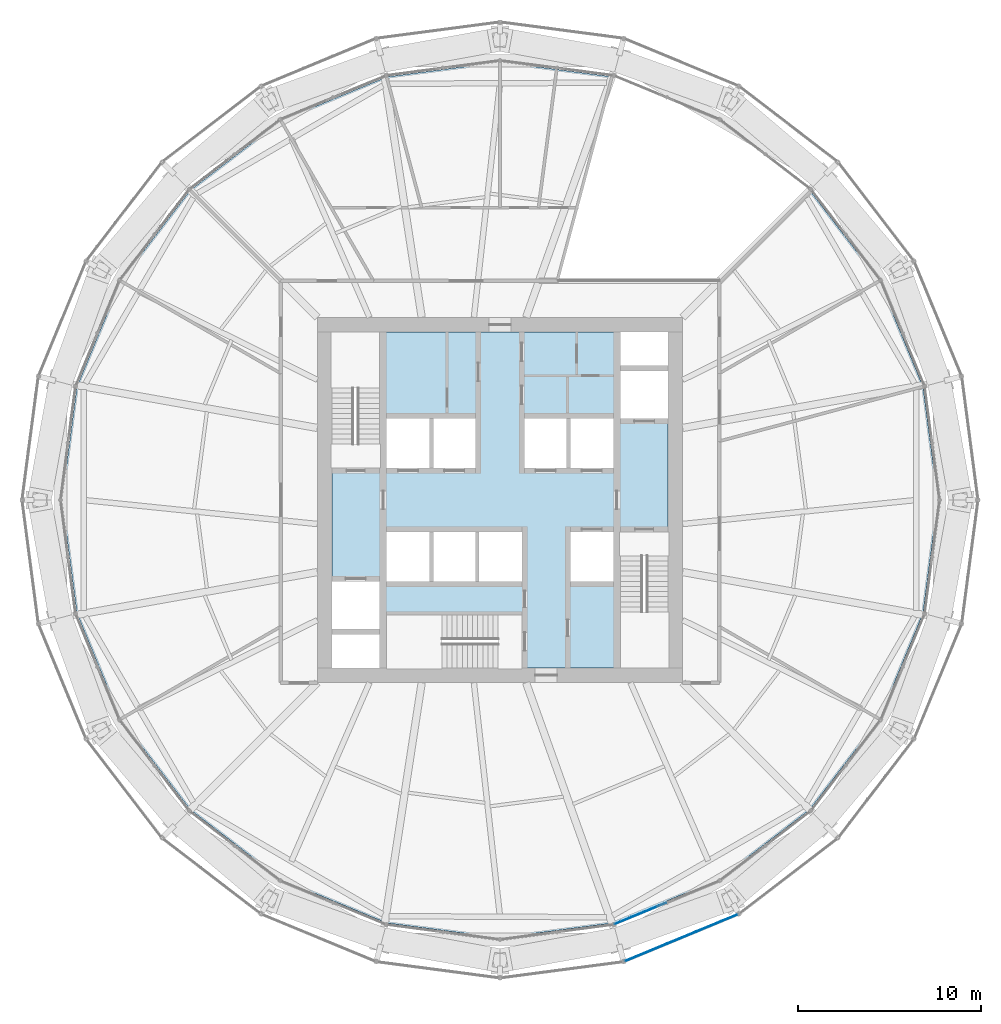
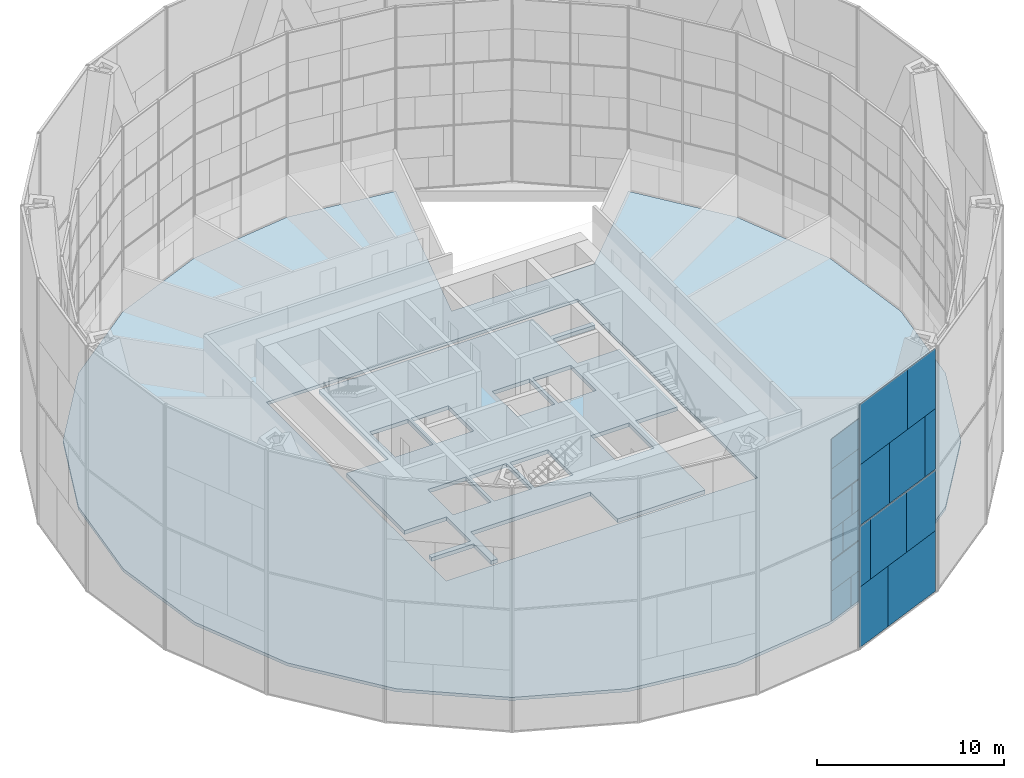
# One storey, part 15 of 26: 19 plates, 2 slabs, 2 elements without a shape of their own.
"""IFC4 building model written with IfcOpenShell, lengths in metres."""

from ifc_helpers import new_model, si_unit, direction, frame, origin, origin_2d, place, context, subcontext, project, spatial, polyline, rectangle, outline, extrude, material, layer, layer_set, type_object, element, aggregate, save


model = new_model("IFC4")

# Units and contexts
model_context = context("Model", 3, precision=1e-05, world=origin(), true_north=direction((0.0, 1.0)))
body_context = subcontext(model_context, "Body", "Model", "MODEL_VIEW")
ifc_project = project(units=[si_unit("LENGTHUNIT", "METRE"), si_unit("AREAUNIT", "SQUARE_METRE"), si_unit("VOLUMEUNIT", "CUBIC_METRE"), si_unit("PLANEANGLEUNIT", "RADIAN"), si_unit("MASSUNIT", "GRAM", prefix="KILO")], contexts=[model_context])

# Site, building, storey
site_placement = place(None, origin())
site = spatial("IfcSite", under=ifc_project, at=site_placement, CompositionType="ELEMENT")
building_placement = place(site_placement, origin())
building = spatial("IfcBuilding", under=site, at=building_placement, Name="Golbaran Civic Tower", CompositionType="ELEMENT")
storey_placement = place(building_placement, frame((0.0, 0.0, 69.0)))
storey = spatial("IfcBuildingStorey", under=building, at=storey_placement, Name="L16", CompositionType="ELEMENT", Elevation=69.0)

# Slabs
ifc_material_1 = material(Name="Concrete LC30/33 lightweight on steel deck", Category="concrete")
ifc_layer_1 = layer(ifc_material_1, 0.199951171875, Name="Concrete LC30/33 lightweight on steel deck")
ifc_layer_set_1 = layer_set([ifc_layer_1], Name="Concrete LC30/33 lightweight on steel deck")
slab_type_1 = type_object("IfcSlabType", Name="COMPOSITE FLOOR SLAB 200", PredefinedType="FLOOR", material=ifc_layer_set_1)
slab_1_placement = place(storey_placement, frame((0.0, 0.0, -0.199951171875)))
element("IfcSlab", 1, at=slab_1_placement, inside=storey, type_object=slab_type_1, Name="Floor slab L16", PredefinedType="FLOOR", context=body_context, shape_type="SweptSolid", body=[
    extrude(outline(polyline([(16.950927734375, -16.950927734375), (11.986083984375, -20.7607421875), (6.20458984375, -23.155517578125), (0.0, -23.972412109375), (-6.20458984375, -23.155517578125), (-11.986083984375, -20.7607421875), (-16.950927734375, -16.950927734375), (-20.7607421875, -11.986083984375), (-23.155517578125, -6.20458984375), (-23.972412109375, 0.0), (-23.155517578125, 6.20458984375), (-20.7607421875, 11.986083984375), (-16.950927734375, 16.950927734375), (-11.986083984375, 20.7607421875), (-6.20458984375, 23.155517578125), (0.0, 23.972412109375), (6.20458984375, 23.155517578125), (3.21533203125, 12.0), (12.0, 12.0), (16.950927734375, 16.950927734375), (20.7607421875, 11.986083984375), (23.155517578125, 6.20458984375), (23.972412109375, 0.0), (23.155517578125, -6.20458984375), (20.7607421875, -11.986083984375), (16.950927734375, -16.950927734375)]), holes=[polyline([(-9.60009765625, -9.60009765625), (9.60009765625, -9.60009765625), (9.60009765625, 9.60009765625), (-9.60009765625, 9.60009765625), (-9.60009765625, -9.60009765625)])]), origin(), (0.0, 0.0, 1.0), 0.199951171875),
])
ifc_material_2 = material(Name="Concrete C35/45", Category="concrete")
ifc_layer_2 = layer(ifc_material_2, 0.25, Name="Concrete C35/45")
ifc_layer_set_2 = layer_set([ifc_layer_2], Name="Concrete C35/45")
slab_type_2 = type_object("IfcSlabType", Name="CORE FLOOR SLAB 250", PredefinedType="FLOOR", material=ifc_layer_set_2)
slab_2_placement = place(storey_placement, frame((0.0, 0.0, -0.25)))
element("IfcSlab", 2, at=slab_2_placement, inside=storey, type_object=slab_type_2, Name="Core floor slab L16", PredefinedType="FLOOR", context=body_context, shape_type="SweptSolid", body=[
    extrude(outline(polyline([(6.60009765625, -1.75), (6.60009765625, -9.199951171875), (1.199951171875, -9.199951171875), (1.199951171875, -6.300048828125), (-6.199951171875, -6.300048828125), (-6.199951171875, -9.199951171875), (-6.60009765625, -9.199951171875), (-6.60009765625, -7.35009765625), (-9.199951171875, -7.35009765625), (-9.199951171875, -7.050048828125), (-6.60009765625, -7.050048828125), (-6.60009765625, -4.449951171875), (-9.199951171875, -4.449951171875), (-9.199951171875, 1.75), (-6.60009765625, 1.75), (-6.60009765625, 9.199951171875), (6.60009765625, 9.199951171875), (6.60009765625, 7.35009765625), (9.199951171875, 7.35009765625), (9.199951171875, 7.050048828125), (6.60009765625, 7.050048828125), (6.60009765625, 4.449951171875), (9.199951171875, 4.449951171875), (9.199951171875, -1.75), (6.60009765625, -1.75)]), holes=[polyline([(6.199951171875, -1.75), (3.85009765625, -1.75), (3.85009765625, -4.449951171875), (6.199951171875, -4.449951171875), (6.199951171875, -1.75)]), polyline([(6.199951171875, 4.449951171875), (3.85009765625, 4.449951171875), (3.85009765625, 1.75), (6.199951171875, 1.75), (6.199951171875, 4.449951171875)]), polyline([(3.64990234375, 4.449951171875), (1.35009765625, 4.449951171875), (1.35009765625, 1.75), (3.64990234375, 1.75), (3.64990234375, 4.449951171875)]), polyline([(1.199951171875, -1.75), (-1.14990234375, -1.75), (-1.14990234375, -4.449951171875), (1.199951171875, -4.449951171875), (1.199951171875, -1.75)]), polyline([(-1.35009765625, 4.449951171875), (-3.64990234375, 4.449951171875), (-3.64990234375, 1.75), (-1.35009765625, 1.75), (-1.35009765625, 4.449951171875)]), polyline([(-1.35009765625, -1.75), (-3.64990234375, -1.75), (-3.64990234375, -4.449951171875), (-1.35009765625, -4.449951171875), (-1.35009765625, -1.75)]), polyline([(-3.85009765625, -1.75), (-6.199951171875, -1.75), (-6.199951171875, -4.449951171875), (-3.85009765625, -4.449951171875), (-3.85009765625, -1.75)]), polyline([(-3.85009765625, 4.449951171875), (-6.199951171875, 4.449951171875), (-6.199951171875, 1.75), (-3.85009765625, 1.75), (-3.85009765625, 4.449951171875)])]), origin(), (0.0, 0.0, 1.0), 0.25),
])

# Curtain wall, plates
ifc_material_3 = material(Name="Aluminium and glass", Category="aluminium")
curtain_wall_type_1 = type_object("IfcCurtainWallType", Name="INNER SKIN CURTAIN WALL", PredefinedType="NOTDEFINED", material=ifc_material_3)
curtain_wall_1_placement = place(storey_placement, origin())
curtain_wall_1 = element("IfcCurtainWall", 3, at=curtain_wall_1_placement, inside=storey, type_object=curtain_wall_type_1, Name="Inner skin L16 facet 20 CW1", ObjectType="INNER SKIN", PredefinedType="USERDEFINED")
ifc_material_4 = material(Name="Clear insulating glass", Category="glass")
ifc_layer_3 = layer(ifc_material_4, 0.031982421875, Name="Clear insulating glass")
ifc_layer_set_3 = layer_set([ifc_layer_3], Name="Clear insulating glass")
plate_type_1 = type_object("IfcPlateType", Name="INNER SKIN CURTAIN WALL GLAZED PANEL", PredefinedType="CURTAIN_PANEL", material=ifc_layer_set_3)
plate_1_placement = place(storey_placement, frame((8.48193359375, -22.298583984375, 0.06494140625), z_axis=(0.0, 0.0, 1.0), x_axis=(0.923879532478, 0.382683432446, 0.0)))
plate_1 = element("IfcPlate", 4, at=plate_1_placement, type_object=plate_type_1, Name="CW1 panel 1.1 part 2", PredefinedType="CURTAIN_PANEL", context=body_context, shape_type="SweptSolid", body=[
    extrude(rectangle(XDim=1.3291015625, YDim=0.031982421875, at=origin_2d()), origin(), (0.0, 0.0, 1.0), 1.951171875),
])
plate_2_placement = place(storey_placement, frame((6.74365234375, -23.018798828125, 4.03271484375), z_axis=(0.0, 0.0, 1.0), x_axis=(0.923879532478, 0.382683432446, 0.0)))
plate_2 = element("IfcPlate", 5, at=plate_2_placement, type_object=plate_type_1, Name="CW1 panel 1.2 part 1", PredefinedType="CURTAIN_PANEL", context=body_context, shape_type="SweptSolid", body=[
    extrude(rectangle(XDim=0.991943359375, YDim=0.031982421875, at=origin_2d()), origin(), (0.0, 0.0, 1.0), 1.967529296875),
])
plate_3_placement = place(storey_placement, frame((7.116455078125, -22.8642578125, 6.0), z_axis=(0.0, 0.0, 1.0), x_axis=(0.923879532478, 0.382683432446, 0.0)))
plate_3 = element("IfcPlate", 6, at=plate_3_placement, type_object=plate_type_1, Name="CW1 panel 1.2 part 3", PredefinedType="CURTAIN_PANEL", context=body_context, shape_type="SweptSolid", body=[
    extrude(rectangle(XDim=1.799072265625, YDim=0.031982421875, at=origin_2d()), origin(), (0.0, 0.0, 1.0), 1.967529296875),
])
plate_4_placement = place(storey_placement, frame((7.500732421875, -22.705078125, 8.032470703125), z_axis=(0.0, 0.0, 1.0), x_axis=(0.923879532478, 0.382683432446, 0.0)))
plate_4 = element("IfcPlate", 7, at=plate_4_placement, type_object=plate_type_1, Name="CW1 panel 1.3 part 1", PredefinedType="CURTAIN_PANEL", context=body_context, shape_type="SweptSolid", body=[
    extrude(rectangle(XDim=2.631103515625, YDim=0.031982421875, at=origin_2d()), origin(), (0.0, 0.0, 1.0), 1.951171875),
])
plate_5_placement = place(storey_placement, frame((7.690673828125, -22.62646484375, 9.98388671875), z_axis=(0.0, 0.0, 1.0), x_axis=(0.923879532478, 0.382683432446, 0.0)))
plate_5 = element("IfcPlate", 8, at=plate_5_placement, type_object=plate_type_1, Name="CW1 panel 1.3 part 3", PredefinedType="CURTAIN_PANEL", context=body_context, shape_type="SweptSolid", body=[
    extrude(rectangle(XDim=3.0419921875, YDim=0.031982421875, at=origin_2d()), origin(), (0.0, 0.0, 1.0), 1.951171875),
])
ifc_material_5 = material(Name="Aluminium faced opaque infill panel", Category="aluminium")
ifc_layer_4 = layer(ifc_material_5, 0.031982421875, Name="Aluminium faced opaque infill panel")
ifc_layer_set_4 = layer_set([ifc_layer_4], Name="Aluminium faced opaque infill panel")
plate_type_2 = type_object("IfcPlateType", Name="INNER SKIN CURTAIN WALL OPAQUE INFILL PANEL", PredefinedType="CURTAIN_PANEL", material=ifc_layer_set_4)
plate_6_placement = place(storey_placement, frame((7.07666015625, -22.880859375, 0.06494140625), z_axis=(0.0, 0.0, 1.0), x_axis=(0.923879532478, 0.382683432446, 0.0)))
plate_6 = element("IfcPlate", 9, at=plate_6_placement, type_object=plate_type_2, Name="CW1 infill panel 1.1 part 1", PredefinedType="CURTAIN_PANEL", context=body_context, shape_type="SweptSolid", body=[
    extrude(rectangle(XDim=1.712890625, YDim=0.031982421875, at=origin_2d()), origin(), (0.0, 0.0, 1.0), 1.951171875),
])
plate_7_placement = place(storey_placement, frame((7.4453125, -22.72802734375, 2.016357421875), z_axis=(0.0, 0.0, 1.0), x_axis=(0.923879532478, 0.382683432446, 0.0)))
plate_7 = element("IfcPlate", 10, at=plate_7_placement, type_object=plate_type_2, Name="CW1 infill panel 1.1 part 3", PredefinedType="CURTAIN_PANEL", context=body_context, shape_type="SweptSolid", body=[
    extrude(rectangle(XDim=2.510986328125, YDim=0.031982421875, at=origin_2d()), origin(), (0.0, 0.0, 1.0), 1.951171875),
])
plate_8_placement = place(storey_placement, frame((8.14892578125, -22.436767578125, 4.03271484375), z_axis=(0.0, 0.0, 1.0), x_axis=(0.923879532478, 0.382683432446, 0.0)))
plate_8 = element("IfcPlate", 11, at=plate_8_placement, type_object=plate_type_2, Name="CW1 infill panel 1.2 part 2", PredefinedType="CURTAIN_PANEL", context=body_context, shape_type="SweptSolid", body=[
    extrude(rectangle(XDim=2.050048828125, YDim=0.031982421875, at=origin_2d()), origin(), (0.0, 0.0, 1.0), 1.967529296875),
])
plate_9_placement = place(storey_placement, frame((8.521728515625, -22.2822265625, 6.0), z_axis=(0.0, 0.0, 1.0), x_axis=(0.923879532478, 0.382683432446, 0.0)))
plate_9 = element("IfcPlate", 12, at=plate_9_placement, type_object=plate_type_2, Name="CW1 infill panel 1.2 part 4", PredefinedType="CURTAIN_PANEL", context=body_context, shape_type="SweptSolid", body=[
    extrude(rectangle(XDim=1.2431640625, YDim=0.031982421875, at=origin_2d()), origin(), (0.0, 0.0, 1.0), 1.967529296875),
])
aggregate(curtain_wall_1, [plate_6, plate_1, plate_7, plate_2, plate_8, plate_3, plate_9, plate_4, plate_5])

curtain_wall_type_2 = type_object("IfcCurtainWallType", Name="OUTER SKIN TERRACOTTA SCREEN", PredefinedType="NOTDEFINED", material=ifc_material_3)
curtain_wall_2_placement = place(storey_placement, origin())
curtain_wall_2 = element("IfcCurtainWall", 13, at=curtain_wall_2_placement, inside=storey, type_object=curtain_wall_type_2, Name="Outer skin L16 facet 20 CW3", ObjectType="OUTER SKIN", PredefinedType="USERDEFINED")
ifc_material_6 = material(Name="Clear laminated glass", Category="glass")
ifc_layer_5 = layer(ifc_material_6, 0.0400390625, Name="Clear laminated glass")
ifc_layer_set_5 = layer_set([ifc_layer_5], Name="Clear laminated glass")
plate_type_3 = type_object("IfcPlateType", Name="OUTER SKIN CLEAR GLASS PANEL", PredefinedType="CURTAIN_PANEL", material=ifc_layer_set_5)
plate_10_placement = place(storey_placement, frame((11.074951171875, -23.48681640625, -0.6298828125), z_axis=(0.0, 0.0, 1.0), x_axis=(0.923879532465, 0.382683432478, 0.0)))
plate_10 = element("IfcPlate", 14, at=plate_10_placement, type_object=plate_type_3, Name="CW3 panel 1.1 part 2", PredefinedType="CURTAIN_PANEL", context=body_context, shape_type="SweptSolid", body=[
    extrude(rectangle(XDim=4.181396484375, YDim=0.0400390625, at=origin_2d()), origin(), (0.0, 0.0, 1.0), 3.93994140625),
])
plate_11_placement = place(storey_placement, frame((7.2861328125, -25.05615234375, 3.31005859375), z_axis=(0.0, 0.0, 1.0), x_axis=(0.923879532465, 0.382683432478, 0.0)))
plate_11 = element("IfcPlate", 15, at=plate_11_placement, type_object=plate_type_3, Name="CW3 panel 1.1 part 3", PredefinedType="CURTAIN_PANEL", context=body_context, shape_type="SweptSolid", body=[
    extrude(rectangle(XDim=0.955078125, YDim=0.0400390625, at=origin_2d()), origin(), (0.0, 0.0, 1.0), 3.93994140625),
])
plate_12_placement = place(storey_placement, frame((11.820556640625, -23.177978515625, 3.31005859375), z_axis=(0.0, 0.0, 1.0), x_axis=(0.923879532465, 0.382683432478, 0.0)))
plate_12 = element("IfcPlate", 16, at=plate_12_placement, type_object=plate_type_3, Name="CW3 panel 1.1 part 5", PredefinedType="CURTAIN_PANEL", context=body_context, shape_type="SweptSolid", body=[
    extrude(rectangle(XDim=2.5673828125, YDim=0.0400390625, at=origin_2d()), origin(), (0.0, 0.0, 1.0), 3.93994140625),
])
plate_13_placement = place(storey_placement, frame((8.044921875, -24.741943359375, 7.330078125), z_axis=(0.0, 0.0, 1.0), x_axis=(0.923879532465, 0.382683432478, 0.0)))
plate_13 = element("IfcPlate", 17, at=plate_13_placement, type_object=plate_type_3, Name="CW3 panel 1.2 part 1", PredefinedType="CURTAIN_PANEL", context=body_context, shape_type="SweptSolid", body=[
    extrude(rectangle(XDim=2.597900390625, YDim=0.0400390625, at=origin_2d()), origin(), (0.0, 0.0, 1.0), 3.93994140625),
])
plate_14_placement = place(storey_placement, frame((12.58154296875, -22.86279296875, 7.330078125), z_axis=(0.0, 0.0, 1.0), x_axis=(0.923879532465, 0.382683432478, 0.0)))
plate_14 = element("IfcPlate", 18, at=plate_14_placement, type_object=plate_type_3, Name="CW3 panel 1.2 part 3", PredefinedType="CURTAIN_PANEL", context=body_context, shape_type="SweptSolid", body=[
    extrude(rectangle(XDim=0.92041015625, YDim=0.0400390625, at=origin_2d()), origin(), (0.0, 0.0, 1.0), 3.93994140625),
])
plate_15_placement = place(storey_placement, frame((8.7890625, -24.43359375, 11.27001953125), z_axis=(0.0, 0.0, 1.0), x_axis=(0.923879532465, 0.382683432478, 0.0)))
plate_15 = element("IfcPlate", 19, at=plate_15_placement, type_object=plate_type_3, Name="CW3 panel 1.2 part 4", PredefinedType="CURTAIN_PANEL", context=body_context, shape_type="SweptSolid", body=[
    extrude(rectangle(XDim=4.208984375, YDim=0.0400390625, at=origin_2d()), origin(), (0.0, 0.0, 1.0), 3.93994140625),
])
ifc_material_7 = material(Name="Terracotta baguette screen", Category="masonry")
ifc_layer_6 = layer(ifc_material_7, 0.0400390625, Name="Terracotta baguette screen")
ifc_layer_set_6 = layer_set([ifc_layer_6], Name="Terracotta baguette screen")
plate_type_4 = type_object("IfcPlateType", Name="OUTER SKIN TERRACOTTA INFILL PANEL", PredefinedType="CURTAIN_PANEL", material=ifc_layer_set_6)
plate_16_placement = place(storey_placement, frame((7.994140625, -24.762939453125, -0.6298828125), z_axis=(0.0, 0.0, 1.0), x_axis=(0.923879532465, 0.382683432478, 0.0)))
plate_16 = element("IfcPlate", 20, at=plate_16_placement, type_object=plate_type_4, Name="CW3 infill panel 1.1 part 1", PredefinedType="CURTAIN_PANEL", context=body_context, shape_type="SweptSolid", body=[
    extrude(rectangle(XDim=2.488037109375, YDim=0.0400390625, at=origin_2d()), origin(), (0.0, 0.0, 1.0), 3.93994140625),
])
plate_17_placement = place(storey_placement, frame((9.180908203125, -24.271240234375, 3.31005859375), z_axis=(0.0, 0.0, 1.0), x_axis=(0.923879532465, 0.382683432478, 0.0)))
plate_17 = element("IfcPlate", 21, at=plate_17_placement, type_object=plate_type_4, Name="CW3 infill panel 1.1 part 4", PredefinedType="CURTAIN_PANEL", context=body_context, shape_type="SweptSolid", body=[
    extrude(rectangle(XDim=3.14697265625, YDim=0.0400390625, at=origin_2d()), origin(), (0.0, 0.0, 1.0), 3.93994140625),
])
plate_18_placement = place(storey_placement, frame((10.70068359375, -23.641845703125, 7.330078125), z_axis=(0.0, 0.0, 1.0), x_axis=(0.923879532465, 0.382683432478, 0.0)))
plate_18 = element("IfcPlate", 22, at=plate_18_placement, type_object=plate_type_4, Name="CW3 infill panel 1.2 part 2", PredefinedType="CURTAIN_PANEL", context=body_context, shape_type="SweptSolid", body=[
    extrude(rectangle(XDim=3.15087890625, YDim=0.0400390625, at=origin_2d()), origin(), (0.0, 0.0, 1.0), 3.93994140625),
])
plate_19_placement = place(storey_placement, frame((11.8701171875, -23.157470703125, 11.27001953125), z_axis=(0.0, 0.0, 1.0), x_axis=(0.923879532465, 0.382683432478, 0.0)))
plate_19 = element("IfcPlate", 23, at=plate_19_placement, type_object=plate_type_4, Name="CW3 infill panel 1.2 part 5", PredefinedType="CURTAIN_PANEL", context=body_context, shape_type="SweptSolid", body=[
    extrude(rectangle(XDim=2.46044921875, YDim=0.0400390625, at=origin_2d()), origin(), (0.0, 0.0, 1.0), 3.93994140625),
])
aggregate(curtain_wall_2, [plate_16, plate_10, plate_11, plate_17, plate_12, plate_13, plate_18, plate_14, plate_15, plate_19])

save(model, "model.ifc")
